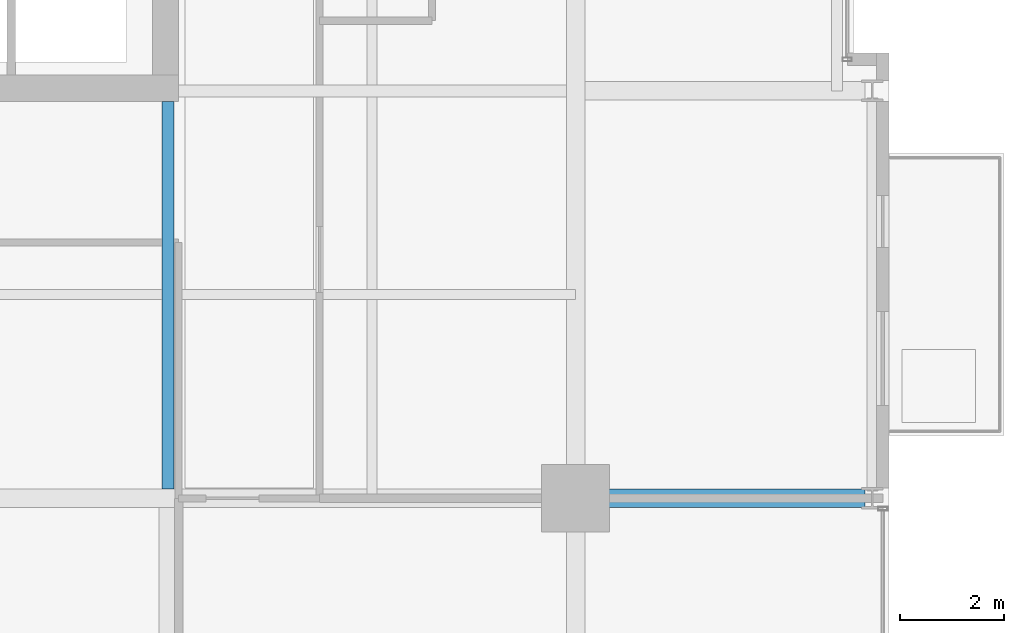
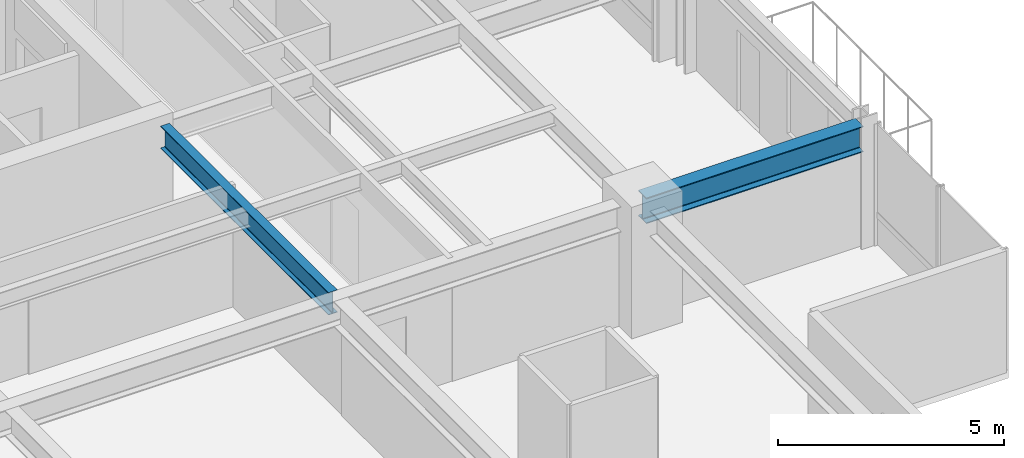
# One storey, part 12 of 33: 2 beams.
"""IFC4 building model written with IfcOpenShell, lengths in metres."""

from ifc_helpers import new_model, si_unit, direction, frame, origin, origin_2d, place, context, subcontext, project, spatial, i_section, extrude, material, material_profile, profile_set, type_object, element, save


model = new_model("IFC4")

# Units and contexts
model_context = context("Model", 3, precision=1e-05, world=origin(), true_north=direction((0.0, 1.0)))
body_context = subcontext(model_context, "Body", "Model", "MODEL_VIEW")
ifc_project = project(units=[si_unit("LENGTHUNIT", "METRE"), si_unit("AREAUNIT", "SQUARE_METRE"), si_unit("VOLUMEUNIT", "CUBIC_METRE"), si_unit("PLANEANGLEUNIT", "RADIAN"), si_unit("MASSUNIT", "GRAM", prefix="KILO")], contexts=[model_context])

# Site, building, storey
site_placement = place(None, origin())
site = spatial("IfcSite", under=ifc_project, at=site_placement, CompositionType="ELEMENT")
building_placement = place(site_placement, origin())
building = spatial("IfcBuilding", under=site, at=building_placement, Name="Drelvath Grand Hotel", CompositionType="ELEMENT")
storey_placement = place(building_placement, frame((0.0, 0.0, 161.050048828125)))
storey = spatial("IfcBuildingStorey", under=building, at=storey_placement, Name="L41", CompositionType="ELEMENT", Elevation=161.050048828125)

# Beams
ifc_material = material(Name="Steel ASTM A992 Gr 50", Category="steel")
ifc_material_profile_1 = material_profile(ifc_material, i_section(OverallWidth=0.228271484375, OverallDepth=0.607666015625, WebThickness=0.01123046875, FlangeThickness=0.017333984375, FilletRadius=0.02001953125, at=origin_2d()), Name="W24X76")
ifc_profile_set_1 = profile_set([ifc_material_profile_1], Name="Steel ASTM A992 Gr 50")
beam_type_1 = type_object("IfcBeamType", Name="Primary Floor Girder W24X76", PredefinedType="BEAM", material=ifc_profile_set_1)
beam_1_placement = place(storey_placement, frame((8.39990234375, 10.977294921875, 2.986083984375), z_axis=(0.0, 1.0, 0.0), x_axis=(-1.0, 0.0, 0.0)))
element("IfcBeam", 1, at=beam_1_placement, inside=storey, type_object=beam_type_1, Name="L41 South Core Tie 6", PredefinedType="BEAM", context=body_context, shape_type="SweptSolid", body=[
    extrude(i_section(OverallWidth=0.228271484375, OverallDepth=0.607666015625, WebThickness=0.01123046875, FlangeThickness=0.017333984375, FilletRadius=0.02001953125, at=origin_2d()), origin(), (0.0, 0.0, 1.0), 7.422607421875),
])
ifc_material_profile_2 = material_profile(ifc_material, i_section(OverallWidth=0.354736328125, OverallDepth=0.695556640625, WebThickness=0.015380859375, FlangeThickness=0.025146484375, FilletRadius=0.02392578125, at=origin_2d()), Name="W27X146")
ifc_profile_set_2 = profile_set([ifc_material_profile_2], Name="Steel ASTM A992 Gr 50")
beam_type_2 = type_object("IfcBeamType", Name="Primary Floor Girder W27X146", PredefinedType="BEAM", material=ifc_profile_set_2)
beam_2_placement = place(storey_placement, frame((16.199951171875, 10.800048828125, 2.942138671875), z_axis=(1.0, 0.0, 0.0), x_axis=(0.0, 1.0, 0.0)))
element("IfcBeam", 2, at=beam_2_placement, inside=storey, type_object=beam_type_2, Name="L41 East Grid Girder C", PredefinedType="BEAM", context=body_context, shape_type="SweptSolid", body=[
    extrude(i_section(OverallWidth=0.354736328125, OverallDepth=0.695556640625, WebThickness=0.015380859375, FlangeThickness=0.025146484375, FilletRadius=0.02392578125, at=origin_2d()), origin(), (0.0, 0.0, 1.0), 5.5400390625),
])

save(model, "model.ifc")
